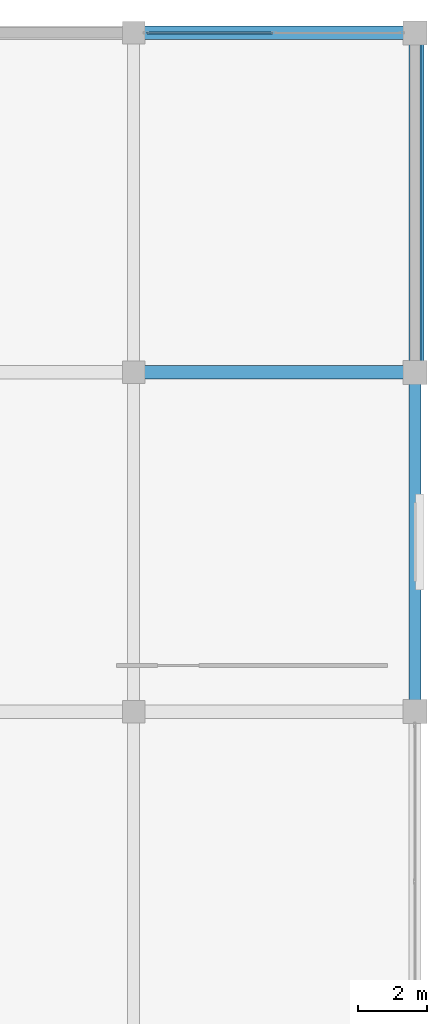
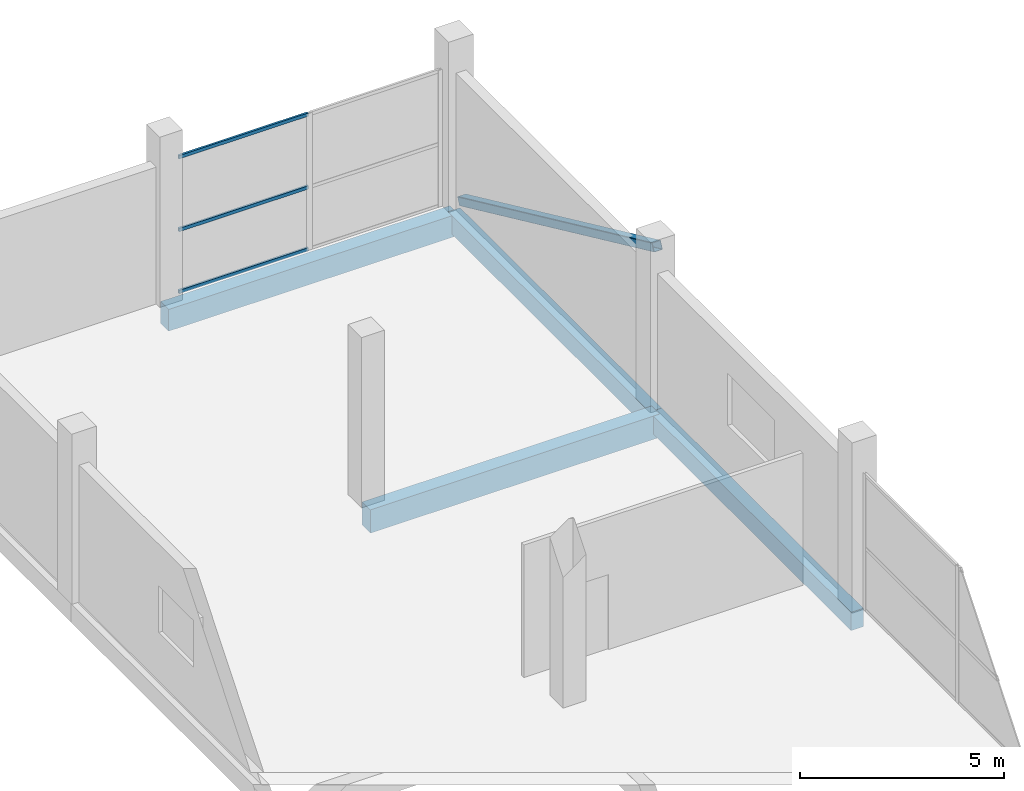
# One storey, part 46 of 67: 4 beams, 4 members, 1 element without a shape of its own.
"""IFC4 building model written with IfcOpenShell, lengths in metres."""

import ifcopenshell
import ifcopenshell.guid

model = None  # the IFC model being written
_history = None  # IfcOwnerHistory: only IFC2X3 demands one
_inside = {}  # id of a spatial element -> (the spatial element, [elements in it])
_under = {}  # id of a project, library or spatial element -> (it, [spatial elements below it])
_declared = {}  # id of a project -> (the project, [libraries it declares])
_typed = {}  # id of a type object -> (the type object, [elements of that type])
_made_of = {}  # id of a material, layer set ... -> (it, [elements and type objects made of it])


def new_model(schema):
    """Start an empty IFC model of exactly this schema.

    Asked for "IFC4X3", IfcOpenShell would pick the latest addendum, in which some entities
    have other attributes; the version numbers below select the first issue.
    IFC2X3 requires an IfcOwnerHistory on every rooted entity: one is made here for all.
    """
    global model, _history
    if schema == "IFC4X3":
        model = ifcopenshell.file(schema_version=(4, 3, 0, 0))
    else:
        model = ifcopenshell.file(schema=schema)
    _inside.clear()
    _under.clear()
    _declared.clear()
    _typed.clear()
    _made_of.clear()
    _history = None
    if model.schema == "IFC2X3":
        org = make("IfcOrganization", Name="unknown")
        user = make(
            "IfcPersonAndOrganization",
            ThePerson=make("IfcPerson", FamilyName="unknown"),
            TheOrganization=org,
        )
        app = make(
            "IfcApplication",
            ApplicationDeveloper=org,
            Version="unknown",
            ApplicationFullName="unknown",
            ApplicationIdentifier="unknown",
        )
        _history = make(
            "IfcOwnerHistory",
            OwningUser=user,
            OwningApplication=app,
            ChangeAction="ADDED",
            CreationDate=0,
        )
    return model


def make(cls, **values):
    """One entity of the class cls with the attributes given. An attribute that is None is left unset."""
    return model.create_entity(
        cls, **{name: value for name, value in values.items() if value is not None}
    )


def rooted(cls, **values):
    """An entity with a GlobalId (a new one), such as an element, a storey or a relation."""
    return make(cls, GlobalId=ifcopenshell.guid.new(), OwnerHistory=_history, **values)


def si_unit(unit_type, name, prefix=None):
    """IfcSIUnit, for example si_unit("LENGTHUNIT", "METRE", prefix="MILLI")."""
    return make("IfcSIUnit", UnitType=unit_type, Prefix=prefix, Name=name)


def assignment(units):
    """IfcUnitAssignment: the units of a project."""
    return None if units is None else make("IfcUnitAssignment", Units=units)


def point(xyz):
    """IfcCartesianPoint."""
    return None if xyz is None else make("IfcCartesianPoint", Coordinates=xyz)


def direction(xyz):
    """IfcDirection."""
    return None if xyz is None else make("IfcDirection", DirectionRatios=xyz)


def frame(location, z_axis=None, x_axis=None):
    """IfcAxis2Placement3D, a coordinate frame: its origin and axes. An axis left out is left unset."""
    return make(
        "IfcAxis2Placement3D",
        Location=point(location),
        Axis=direction(z_axis),
        RefDirection=direction(x_axis),
    )


def frame_2d(location, x_axis=None):
    """IfcAxis2Placement2D, a coordinate frame in the plane: its origin and x axis."""
    return make(
        "IfcAxis2Placement2D", Location=point(location), RefDirection=direction(x_axis)
    )


def origin():
    """The frame at (0, 0, 0) with its axes left unset."""
    return frame((0.0, 0.0, 0.0))


def origin_2d():
    """The frame at (0, 0) in the plane with its x axis left unset."""
    return frame_2d((0.0, 0.0))


def place(relative_to, where):
    """IfcLocalPlacement: puts the frame where relative to a parent placement (None: the world)."""
    return make(
        "IfcLocalPlacement", PlacementRelTo=relative_to, RelativePlacement=where
    )


def context(
    kind, dimensions, precision=None, world=None, true_north=None, identifier=None
):
    """IfcGeometricRepresentationContext, for example the 3D "Model" context."""
    return make(
        "IfcGeometricRepresentationContext",
        ContextIdentifier=identifier,
        ContextType=kind,
        CoordinateSpaceDimension=dimensions,
        Precision=precision,
        WorldCoordinateSystem=world,
        TrueNorth=true_north,
    )


def subcontext(parent, identifier, kind, view, scale=None):
    """IfcGeometricRepresentationSubContext, for example "Body" below "Model"."""
    return make(
        "IfcGeometricRepresentationSubContext",
        ContextIdentifier=identifier,
        ContextType=kind,
        ParentContext=parent,
        TargetScale=scale,
        TargetView=view,
    )


def project(units=None, contexts=None):
    """IfcProject with its units and contexts."""
    return rooted(
        "IfcProject",
        Name="project",
        RepresentationContexts=contexts,
        UnitsInContext=assignment(units),
    )


def spatial(cls, under=None, at=None, **own):
    """A site, building, storey or space (cls), placed at a placement, below another one or the project."""
    s = rooted(cls, ObjectPlacement=at, **own)
    if under is not None:
        _under.setdefault(under.id(), (under, []))[1].append(s)
    return s


def profile(cls, at=None, kind="AREA", **sizes):
    """A parametric profile (cls). Its sizes go by their IFC names, for example OverallWidth=200.0."""
    return make(cls, ProfileType=kind, Position=at, **sizes)


def rectangle(**sizes):
    """IfcRectangleProfileDef."""
    return profile("IfcRectangleProfileDef", **sizes)


def hollow_rectangle(**sizes):
    """IfcRectangleHollowProfileDef."""
    return profile("IfcRectangleHollowProfileDef", **sizes)


def extrude(swept, where, along, depth):
    """IfcExtrudedAreaSolid: the profile swept, set in the frame where, extruded along a direction by depth."""
    return make(
        "IfcExtrudedAreaSolid",
        SweptArea=swept,
        Position=where,
        ExtrudedDirection=direction(along),
        Depth=depth,
    )


def shape(context_of_items, identifier, shape_type, items):
    """IfcShapeRepresentation: the items that make up one representation, for example the "Body"."""
    return make(
        "IfcShapeRepresentation",
        ContextOfItems=context_of_items,
        RepresentationIdentifier=identifier,
        RepresentationType=shape_type,
        Items=items,
    )


def material(Name=None, Category=None):
    """IfcMaterial."""
    return make("IfcMaterial", Name=Name, Category=Category)


def layer(
    of_material, thickness, ventilated=None, Name=None, Category=None, Priority=None
):
    """IfcMaterialLayer: one layer of a wall or slab, of a material (None: an air gap)."""
    return make(
        "IfcMaterialLayer",
        Material=of_material,
        LayerThickness=thickness,
        IsVentilated=ventilated,
        Name=Name,
        Category=Category,
        Priority=Priority,
    )


def layer_set(layers, Name=None):
    """IfcMaterialLayerSet."""
    return make("IfcMaterialLayerSet", MaterialLayers=layers, LayerSetName=Name)


def material_profile(
    of_material, cross_section, Name=None, Category=None, Priority=None
):
    """IfcMaterialProfile: a cross section and its material."""
    return make(
        "IfcMaterialProfile",
        Name=Name,
        Material=of_material,
        Profile=cross_section,
        Priority=Priority,
        Category=Category,
    )


def profile_set(profiles, Name=None, composite=None):
    """IfcMaterialProfileSet."""
    return make(
        "IfcMaterialProfileSet",
        Name=Name,
        MaterialProfiles=profiles,
        CompositeProfile=composite,
    )


def made_of(thing, what):
    """Note that an element or type object is made of a material, layer set ...; save() writes the relation."""
    if what is not None:
        _made_of.setdefault(what.id(), (what, []))[1].append(thing)
    return thing


def type_object(cls, material=None, **own):
    """A type object (cls), such as IfcWallType, which elements share."""
    return made_of(rooted(cls, **own), material)


def element(
    cls,
    number,
    at=None,
    inside=None,
    cuts=None,
    type_object=None,
    material=None,
    context=None,
    identifier="Body",
    shape_type=None,
    held_by="IfcProductDefinitionShape",
    body=None,
    shapes=None,
    **own,
):
    """One element of the class cls, such as IfcWall. Its Tag is "e" and its number.

    at: its placement. inside: the storey or other place that contains it. cuts: it is an
    opening in that element (IfcRelVoidsElement). A single representation is given by context,
    identifier, shape_type and body (its items); several are given by shapes. held_by: the class
    of the entity that holds the representations. save() writes the other relations.
    """
    e = rooted(cls, Tag="e%d" % number, ObjectPlacement=at, **own)
    if body is not None:
        shapes = [shape(context, identifier, shape_type, body)]
    if shapes is not None:
        e.Representation = make(held_by, Representations=shapes)
    if inside is not None:
        _inside.setdefault(inside.id(), (inside, []))[1].append(e)
    if cuts is not None:
        rooted(
            "IfcRelVoidsElement", RelatingBuildingElement=cuts, RelatedOpeningElement=e
        )
    if type_object is not None:
        _typed.setdefault(type_object.id(), (type_object, []))[1].append(e)
    return made_of(e, material)


def aggregate(whole, parts):
    """IfcRelAggregates: a whole, such as a stair, and the parts it consists of."""
    return rooted("IfcRelAggregates", RelatingObject=whole, RelatedObjects=parts)


def save(model, path):
    """Write the relations noted so far, then the file.

    IfcRelAggregates (storeys below a building ...), IfcRelContainedInSpatialStructure (elements
    in a storey), IfcRelDefinesByType, IfcRelAssociatesMaterial and IfcRelDeclares: one each for
    every whole, place, type object, material and project.
    """
    for whole, parts in _under.values():
        aggregate(whole, parts)
    for where, things in _inside.values():
        rooted(
            "IfcRelContainedInSpatialStructure",
            RelatedElements=things,
            RelatingStructure=where,
        )
    for kind, things in _typed.values():
        rooted("IfcRelDefinesByType", RelatedObjects=things, RelatingType=kind)
    for what, things in _made_of.values():
        rooted("IfcRelAssociatesMaterial", RelatedObjects=things, RelatingMaterial=what)
    for by, libraries in _declared.values():
        rooted("IfcRelDeclares", RelatingContext=by, RelatedDefinitions=libraries)
    model.write(path)


model = new_model("IFC4")

# Units and contexts
model_context = context("Model", 3, precision=1e-05, world=origin(), true_north=direction((0.0, 1.0)))
body_context = subcontext(model_context, "Body", "Model", "MODEL_VIEW")
ifc_project = project(units=[si_unit("LENGTHUNIT", "METRE"), si_unit("AREAUNIT", "SQUARE_METRE"), si_unit("VOLUMEUNIT", "CUBIC_METRE"), si_unit("PLANEANGLEUNIT", "RADIAN"), si_unit("MASSUNIT", "GRAM", prefix="KILO")], contexts=[model_context])

# Site, building, storey
site_placement = place(None, origin())
site = spatial("IfcSite", under=ifc_project, at=site_placement, CompositionType="ELEMENT")
building_placement = place(site_placement, origin())
building = spatial("IfcBuilding", under=site, at=building_placement, Name="Sillaruma Civic Art Gallery", CompositionType="ELEMENT")
storey_placement = place(building_placement, frame((0.0, 0.0, 46.919921875)))
storey = spatial("IfcBuildingStorey", under=building, at=storey_placement, Name="L09", CompositionType="ELEMENT", Elevation=46.919921875)

# Beams
ifc_material_1 = material(Name="Concrete H35 (35 MPa)", Category="concrete")
ifc_material_profile_1 = material_profile(ifc_material_1, rectangle(XDim=0.39990234375, YDim=0.699951171875, at=origin_2d()), Name="RCB400x700")
ifc_profile_set_1 = profile_set([ifc_material_profile_1], Name="Concrete H35 (35 MPa)")
beam_type_1 = type_object("IfcBeamType", Name="BM-BEAM-RCB400x700", PredefinedType="BEAM", material=ifc_profile_set_1)
beam_1_placement = place(storey_placement, frame((106.199951171875, 89.10009765625, -0.599853515625), z_axis=(1.0, 0.0, 0.0), x_axis=(0.0, 1.0, 0.0)))
element("IfcBeam", 1, at=beam_1_placement, inside=storey, type_object=beam_type_1, Name="Beam BM-04 (L08:10:M-N)", PredefinedType="BEAM", context=body_context, shape_type="SweptSolid", body=[
    extrude(rectangle(XDim=0.39990234375, YDim=0.699951171875, at=origin_2d()), origin(), (0.0, 0.0, 1.0), 8.199951171875),
])
ifc_material_profile_2 = material_profile(ifc_material_1, rectangle(XDim=0.35009765625, YDim=0.550048828125, at=origin_2d()), Name="RCB350x550")
ifc_profile_set_2 = profile_set([ifc_material_profile_2], Name="Concrete H35 (35 MPa)")
beam_type_2 = type_object("IfcBeamType", Name="BM-SPANDREL-RCB350x550", PredefinedType="SPANDREL", material=ifc_profile_set_2)
beam_2_placement = place(storey_placement, frame((114.39990234375, 79.199951171875, -0.52490234375), z_axis=(0.0, 1.0, 0.0), x_axis=(-1.0, 0.0, 0.0)))
element("IfcBeam", 2, at=beam_2_placement, inside=storey, type_object=beam_type_2, Name="Beam BS-04 (L08:N:9-10)", PredefinedType="SPANDREL", context=body_context, shape_type="SweptSolid", body=[
    extrude(rectangle(XDim=0.35009765625, YDim=0.550048828125, at=origin_2d()), origin(), (0.0, 0.0, 1.0), 9.900146484375),
])
beam_3_placement = place(storey_placement, frame((114.39990234375, 89.10009765625, -0.52490234375), z_axis=(0.0, 1.0, 0.0), x_axis=(-1.0, 0.0, 0.0)))
element("IfcBeam", 3, at=beam_3_placement, inside=storey, type_object=beam_type_2, Name="Beam BS-04 (L08:N:10-11)", PredefinedType="SPANDREL", context=body_context, shape_type="SweptSolid", body=[
    extrude(rectangle(XDim=0.35009765625, YDim=0.550048828125, at=origin_2d()), origin(), (0.0, 0.0, 1.0), 9.89990234375),
])
ifc_material_profile_3 = material_profile(ifc_material_1, rectangle(XDim=0.39990234375, YDim=0.64990234375, at=origin_2d()), Name="RCB400x650")
ifc_profile_set_3 = profile_set([ifc_material_profile_3], Name="Concrete H35 (35 MPa)")
beam_type_3 = type_object("IfcBeamType", Name="BM-SPANDREL-RCB400x650", PredefinedType="SPANDREL", material=ifc_profile_set_3)
beam_4_placement = place(storey_placement, frame((106.199951171875, 99.0, -0.574951171875), z_axis=(1.0, 0.0, 0.0), x_axis=(0.0, 1.0, 0.0)))
element("IfcBeam", 4, at=beam_4_placement, inside=storey, type_object=beam_type_3, Name="Beam BS-02 (L08:11:M-N)", PredefinedType="SPANDREL", context=body_context, shape_type="SweptSolid", body=[
    extrude(rectangle(XDim=0.39990234375, YDim=0.64990234375, at=origin_2d()), origin(), (0.0, 0.0, 1.0), 8.199951171875),
])

# Member
ifc_material_2 = material(Name="Structural Steel ASTM A500 Gr.C", Category="steel")
ifc_material_profile_4 = material_profile(ifc_material_2, hollow_rectangle(XDim=0.25, YDim=0.25, WallThickness=0.012451171875, InnerFilletRadius=0.012451171875, OuterFilletRadius=0.02490234375, at=origin_2d()), Name="HSS250x250x12.5")
ifc_profile_set_4 = profile_set([ifc_material_profile_4], Name="Structural Steel ASTM A500 Gr.C")
member_type_1 = type_object("IfcMemberType", Name="MEM-MEGA-BRACE", PredefinedType="BRACE", material=ifc_profile_set_4)
member_1_placement = place(storey_placement, frame((114.550048828125, 98.820068359375, 0.10009765625), z_axis=(0.0, -0.908074976581, 0.418807637116), x_axis=(1.0, 0.0, 0.0)))
element("IfcMember", 5, at=member_1_placement, inside=storey, type_object=member_type_1, Name="Exterior Expressed Gallery Seismic Diagonal Brace (L09-EN)", PredefinedType="BRACE", context=body_context, shape_type="SweptSolid", body=[
    extrude(hollow_rectangle(XDim=0.25, YDim=0.25, WallThickness=0.012451171875, InnerFilletRadius=0.012451171875, OuterFilletRadius=0.02490234375, at=origin_2d()), origin(), (0.0, 0.0, 1.0), 10.505859375),
])

# Curtain wall, members
ifc_material_3 = material(Name="Thermally Broken Extruded Aluminium 6063-T6", Category="aluminium")
ifc_layer = layer(ifc_material_3, 0.159912109375, Name="Thermally Broken Extruded Aluminium 6063-T6")
ifc_layer_set = layer_set([ifc_layer], Name="Thermally Broken Extruded Aluminium 6063-T6")
curtain_wall_type = type_object("IfcCurtainWallType", Name="CW-UNI-74", PredefinedType="NOTDEFINED", material=ifc_layer_set)
curtain_wall_placement = place(storey_placement, origin())
curtain_wall = element("IfcCurtainWall", 6, at=curtain_wall_placement, inside=storey, type_object=curtain_wall_type, Name="Unitised Curtain Wall CW-74 (CW-L09-EBN-2)", PredefinedType="NOTDEFINED")
ifc_material_profile_5 = material_profile(ifc_material_3, hollow_rectangle(XDim=0.06005859375, YDim=0.10009765625, WallThickness=0.003173828125, at=origin_2d()), Name="CWT60x100")
ifc_profile_set_5 = profile_set([ifc_material_profile_5], Name="Thermally Broken Extruded Aluminium 6063-T6")
member_type_2 = type_object("IfcMemberType", Name="MEM-TRN-CWT60x100", PredefinedType="USERDEFINED", material=ifc_profile_set_5)
member_2_placement = place(storey_placement, frame((106.590087890625, 99.0, 0.030029296875), z_axis=(1.0, 0.0, 0.0), x_axis=(0.0, 1.0, 0.0)))
member_2 = element("IfcMember", 7, at=member_2_placement, type_object=member_type_2, Name="CW-74 transom 1.1", ObjectType="TRANSOM", PredefinedType="USERDEFINED", context=body_context, shape_type="SweptSolid", body=[
    extrude(hollow_rectangle(XDim=0.06005859375, YDim=0.10009765625, WallThickness=0.003173828125, at=origin_2d()), origin(), (0.0, 0.0, 1.0), 3.664794921875),
])
member_3_placement = place(storey_placement, frame((106.590087890625, 99.0, 1.885986328125), z_axis=(1.0, 0.0, 0.0), x_axis=(0.0, 1.0, 0.0)))
member_3 = element("IfcMember", 8, at=member_3_placement, type_object=member_type_2, Name="CW-74 transom 1.2", ObjectType="TRANSOM", PredefinedType="USERDEFINED", context=body_context, shape_type="SweptSolid", body=[
    extrude(hollow_rectangle(XDim=0.06005859375, YDim=0.10009765625, WallThickness=0.003173828125, at=origin_2d()), origin(), (0.0, 0.0, 1.0), 3.664794921875),
])
member_4_placement = place(storey_placement, frame((106.590087890625, 99.0, 4.070068359375), z_axis=(1.0, 0.0, 0.0), x_axis=(0.0, 1.0, 0.0)))
member_4 = element("IfcMember", 9, at=member_4_placement, type_object=member_type_2, Name="CW-74 transom 1.3", ObjectType="TRANSOM", PredefinedType="USERDEFINED", context=body_context, shape_type="SweptSolid", body=[
    extrude(hollow_rectangle(XDim=0.06005859375, YDim=0.10009765625, WallThickness=0.003173828125, at=origin_2d()), origin(), (0.0, 0.0, 1.0), 3.664794921875),
])
aggregate(curtain_wall, [member_2, member_3, member_4])

save(model, "model.ifc")
